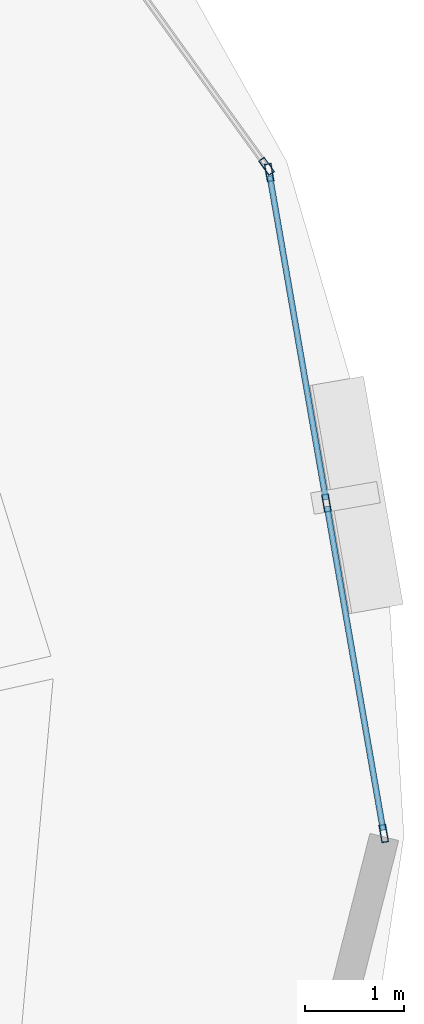
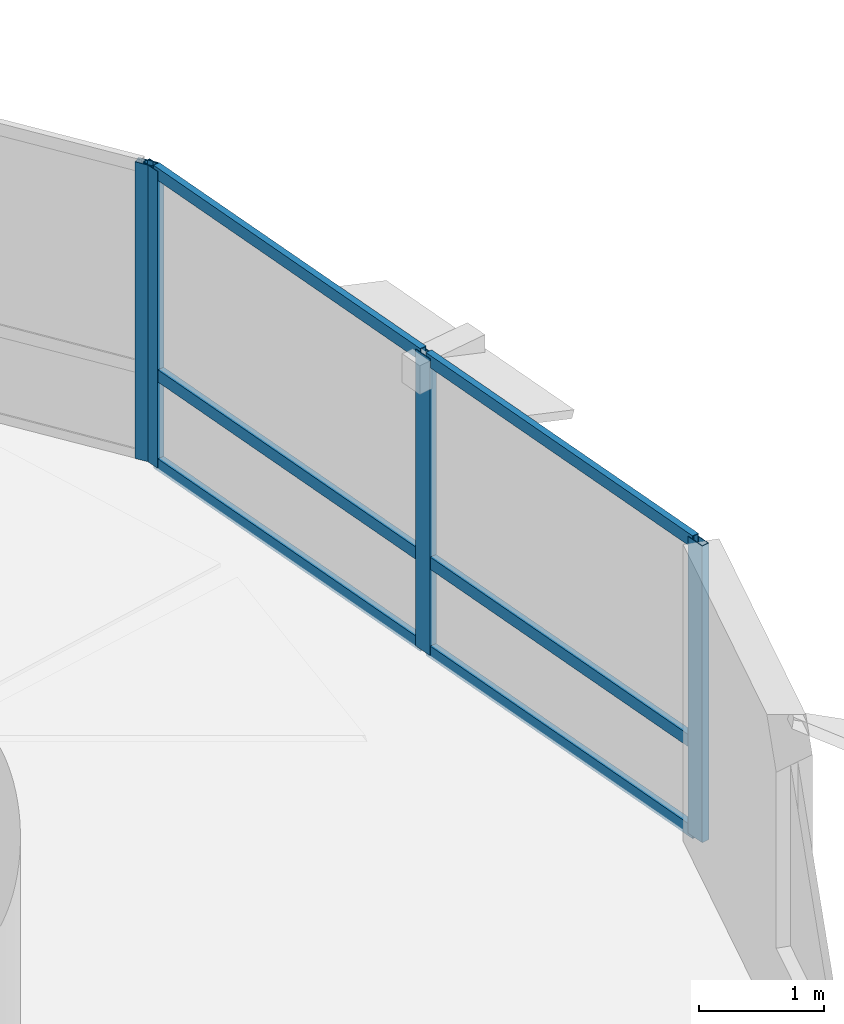
# One storey, part 6 of 14: 10 members, 2 elements without a shape of their own.
"""IFC4 building model written with IfcOpenShell, lengths in metres."""

from ifc_helpers import new_model, si_unit, direction, frame, origin, origin_2d, place, context, subcontext, project, spatial, hollow_rectangle, extrude, material, layer, layer_set, material_profile, profile_set, type_object, element, aggregate, save


model = new_model("IFC4")

# Units and contexts
model_context = context("Model", 3, precision=1e-05, world=origin(), true_north=direction((0.0, 1.0)))
body_context = subcontext(model_context, "Body", "Model", "MODEL_VIEW")
ifc_project = project(units=[si_unit("LENGTHUNIT", "METRE"), si_unit("AREAUNIT", "SQUARE_METRE"), si_unit("VOLUMEUNIT", "CUBIC_METRE"), si_unit("PLANEANGLEUNIT", "RADIAN"), si_unit("MASSUNIT", "GRAM", prefix="KILO"), si_unit("THERMODYNAMICTEMPERATUREUNIT", "KELVIN"), si_unit("POWERUNIT", "WATT")], contexts=[model_context])

# Site, building, storey
site_placement = place(None, origin())
site = spatial("IfcSite", under=ifc_project, at=site_placement, CompositionType="ELEMENT")
building_placement = place(site_placement, origin())
building = spatial("IfcBuilding", under=site, at=building_placement, Name="Ocrelia Relay Tower", CompositionType="ELEMENT")
storey_placement = place(building_placement, frame((0.0, 0.0, 129.800048828125)))
storey = spatial("IfcBuildingStorey", under=building, at=storey_placement, Name="L30", CompositionType="ELEMENT", Elevation=129.800048828125)

# Curtain wall, member
ifc_material_1 = material(Name="Aluminium and solar-control low-E glass", Category="aluminium")
ifc_layer = layer(ifc_material_1, 0.179931640625, Name="Aluminium and solar-control low-E glass")
ifc_layer_set = layer_set([ifc_layer], Name="Aluminium and solar-control low-E glass")
curtain_wall_type = type_object("IfcCurtainWallType", Name="CW-SYS-Z2-SWIT", PredefinedType="NOTDEFINED", material=ifc_layer_set)
curtain_wall_1_placement = place(storey_placement, origin())
curtain_wall_1 = element("IfcCurtainWall", 1, at=curtain_wall_1_placement, inside=storey, type_object=curtain_wall_type, Name="L30 Elliptical Tower Curtain Wall Bay 01", PredefinedType="NOTDEFINED")
ifc_material_2 = material(Name="Anodised bronze aluminium", Category="aluminium")
ifc_material_profile_1 = material_profile(ifc_material_2, hollow_rectangle(XDim=0.070068359375, YDim=0.179931640625, WallThickness=0.006103515625, at=origin_2d()), Name="CW-MUL-180x70")
ifc_profile_set_1 = profile_set([ifc_material_profile_1], Name="Anodised bronze aluminium")
member_type_1 = type_object("IfcMemberType", Name="CW-SYS-Z2-SWIT-MUL", PredefinedType="MULLION", material=ifc_profile_set_1)
member_1_placement = place(storey_placement, frame((57.579345703125, 35.94873046875, 0.0), z_axis=(0.0, 0.0, 1.0), x_axis=(-0.811374390366, -0.58452681603, 0.0)))
member_1 = element("IfcMember", 2, at=member_1_placement, type_object=member_type_1, Name="CW-Z2 mullion 1", PredefinedType="MULLION", context=body_context, shape_type="SweptSolid", body=[
    extrude(hollow_rectangle(XDim=0.070068359375, YDim=0.179931640625, WallThickness=0.006103515625, at=origin_2d()), origin(), (0.0, 0.0, 1.0), 2.89990234375),
])
aggregate(curtain_wall_1, [member_1])

# Curtain wall, members
curtain_wall_2_placement = place(storey_placement, origin())
curtain_wall_2 = element("IfcCurtainWall", 3, at=curtain_wall_2_placement, inside=storey, type_object=curtain_wall_type, Name="L30 Elliptical Tower Curtain Wall Bay 18", PredefinedType="NOTDEFINED")
member_2_placement = place(storey_placement, frame((58.768310546875, 29.1767578125, 0.0), z_axis=(0.0, 0.0, 1.0), x_axis=(-0.985317086306, -0.170734411981, 0.0)))
member_2 = element("IfcMember", 4, at=member_2_placement, type_object=member_type_1, Name="CW-Z2 mullion 1", PredefinedType="MULLION", context=body_context, shape_type="SweptSolid", body=[
    extrude(hollow_rectangle(XDim=0.070068359375, YDim=0.179931640625, WallThickness=0.006103515625, at=origin_2d()), origin(), (0.0, 0.0, 1.0), 2.89990234375),
])
member_3_placement = place(storey_placement, frame((58.18701171875, 32.53125, 0.0), z_axis=(0.0, 0.0, 1.0), x_axis=(-0.985317086306, -0.170734411981, 0.0)))
member_3 = element("IfcMember", 5, at=member_3_placement, type_object=member_type_1, Name="CW-Z2 mullion 2", PredefinedType="MULLION", context=body_context, shape_type="SweptSolid", body=[
    extrude(hollow_rectangle(XDim=0.070068359375, YDim=0.179931640625, WallThickness=0.006103515625, at=origin_2d()), origin(), (0.0, 0.0, 1.0), 2.89990234375),
])
member_4_placement = place(storey_placement, frame((57.605712890625, 35.885986328125, 0.0), z_axis=(0.0, 0.0, 1.0), x_axis=(-0.985317086306, -0.170734411981, 0.0)))
member_4 = element("IfcMember", 6, at=member_4_placement, type_object=member_type_1, Name="CW-Z2 mullion 3", PredefinedType="MULLION", context=body_context, shape_type="SweptSolid", body=[
    extrude(hollow_rectangle(XDim=0.070068359375, YDim=0.179931640625, WallThickness=0.006103515625, at=origin_2d()), origin(), (0.0, 0.0, 1.0), 2.89990234375),
])
ifc_material_profile_2 = material_profile(ifc_material_2, hollow_rectangle(XDim=0.06005859375, YDim=0.1201171875, WallThickness=0.0048828125, at=origin_2d()), Name="CW-TRN-120x60")
ifc_profile_set_2 = profile_set([ifc_material_profile_2], Name="Anodised bronze aluminium")
member_type_2 = type_object("IfcMemberType", Name="CW-SYS-Z2-SWIT-TRN", PredefinedType="USERDEFINED", material=ifc_profile_set_2)
member_5_placement = place(storey_placement, frame((58.76220703125, 29.211181640625, 0.030029296875), z_axis=(-0.170735546646, 0.985316889692, 0.0), x_axis=(-0.985316889692, -0.170735546646, 0.0)))
member_5 = element("IfcMember", 7, at=member_5_placement, type_object=member_type_2, Name="CW-Z2 transom 1.1", ObjectType="TRANSOM", PredefinedType="USERDEFINED", context=body_context, shape_type="SweptSolid", body=[
    extrude(hollow_rectangle(XDim=0.06005859375, YDim=0.1201171875, WallThickness=0.0048828125, at=origin_2d()), origin(), (0.0, 0.0, 1.0), 3.334716796875),
])
member_6_placement = place(storey_placement, frame((58.76220703125, 29.211181640625, 0.89990234375), z_axis=(-0.170735546646, 0.985316889692, 0.0), x_axis=(-0.985316889692, -0.170735546646, 0.0)))
member_6 = element("IfcMember", 8, at=member_6_placement, type_object=member_type_2, Name="CW-Z2 transom 1.2", ObjectType="TRANSOM", PredefinedType="USERDEFINED", context=body_context, shape_type="SweptSolid", body=[
    extrude(hollow_rectangle(XDim=0.06005859375, YDim=0.1201171875, WallThickness=0.0048828125, at=origin_2d()), origin(), (0.0, 0.0, 1.0), 3.334716796875),
])
member_7_placement = place(storey_placement, frame((58.76220703125, 29.211181640625, 2.869873046875), z_axis=(-0.170735546646, 0.985316889692, 0.0), x_axis=(-0.985316889692, -0.170735546646, 0.0)))
member_7 = element("IfcMember", 9, at=member_7_placement, type_object=member_type_2, Name="CW-Z2 transom 1.3", ObjectType="TRANSOM", PredefinedType="USERDEFINED", context=body_context, shape_type="SweptSolid", body=[
    extrude(hollow_rectangle(XDim=0.06005859375, YDim=0.1201171875, WallThickness=0.0048828125, at=origin_2d()), origin(), (0.0, 0.0, 1.0), 3.334716796875),
])
member_8_placement = place(storey_placement, frame((58.180908203125, 32.56591796875, 0.030029296875), z_axis=(-0.170747864247, 0.98531475522, 0.0), x_axis=(-0.98531475522, -0.170747864247, 0.0)))
member_8 = element("IfcMember", 10, at=member_8_placement, type_object=member_type_2, Name="CW-Z2 transom 2.1", ObjectType="TRANSOM", PredefinedType="USERDEFINED", context=body_context, shape_type="SweptSolid", body=[
    extrude(hollow_rectangle(XDim=0.06005859375, YDim=0.1201171875, WallThickness=0.0048828125, at=origin_2d()), origin(), (0.0, 0.0, 1.0), 3.33447265625),
])
member_9_placement = place(storey_placement, frame((58.180908203125, 32.56591796875, 0.89990234375), z_axis=(-0.170747864247, 0.98531475522, 0.0), x_axis=(-0.98531475522, -0.170747864247, 0.0)))
member_9 = element("IfcMember", 11, at=member_9_placement, type_object=member_type_2, Name="CW-Z2 transom 2.2", ObjectType="TRANSOM", PredefinedType="USERDEFINED", context=body_context, shape_type="SweptSolid", body=[
    extrude(hollow_rectangle(XDim=0.06005859375, YDim=0.1201171875, WallThickness=0.0048828125, at=origin_2d()), origin(), (0.0, 0.0, 1.0), 3.33447265625),
])
member_10_placement = place(storey_placement, frame((58.180908203125, 32.56591796875, 2.869873046875), z_axis=(-0.170747864247, 0.98531475522, 0.0), x_axis=(-0.98531475522, -0.170747864247, 0.0)))
member_10 = element("IfcMember", 12, at=member_10_placement, type_object=member_type_2, Name="CW-Z2 transom 2.3", ObjectType="TRANSOM", PredefinedType="USERDEFINED", context=body_context, shape_type="SweptSolid", body=[
    extrude(hollow_rectangle(XDim=0.06005859375, YDim=0.1201171875, WallThickness=0.0048828125, at=origin_2d()), origin(), (0.0, 0.0, 1.0), 3.33447265625),
])
aggregate(curtain_wall_2, [member_2, member_3, member_4, member_5, member_6, member_7, member_8, member_9, member_10])

save(model, "model.ifc")
